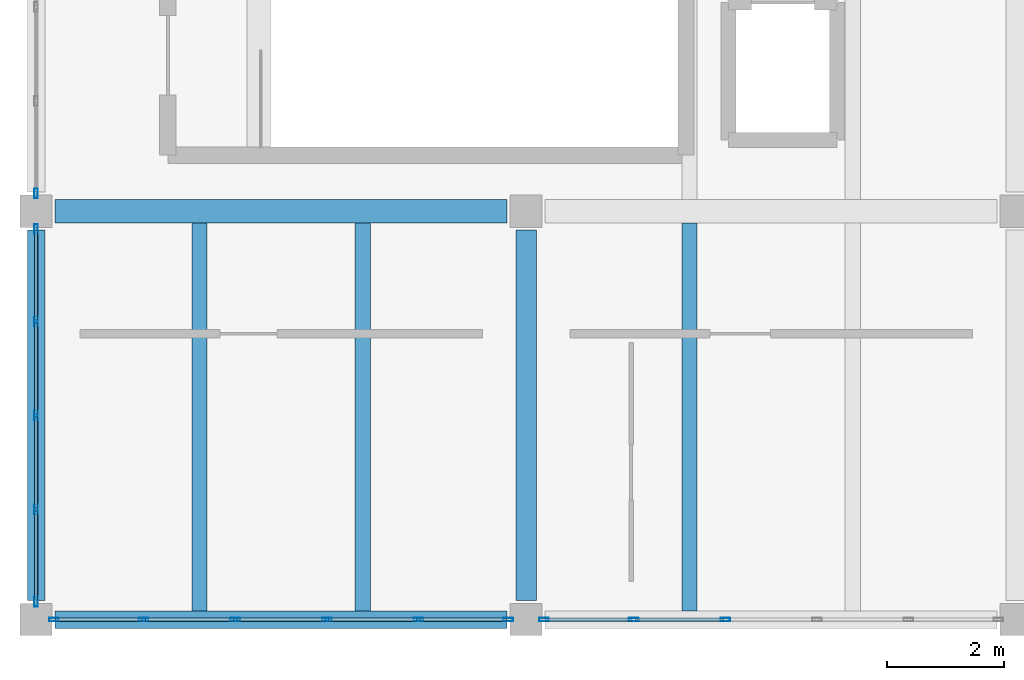
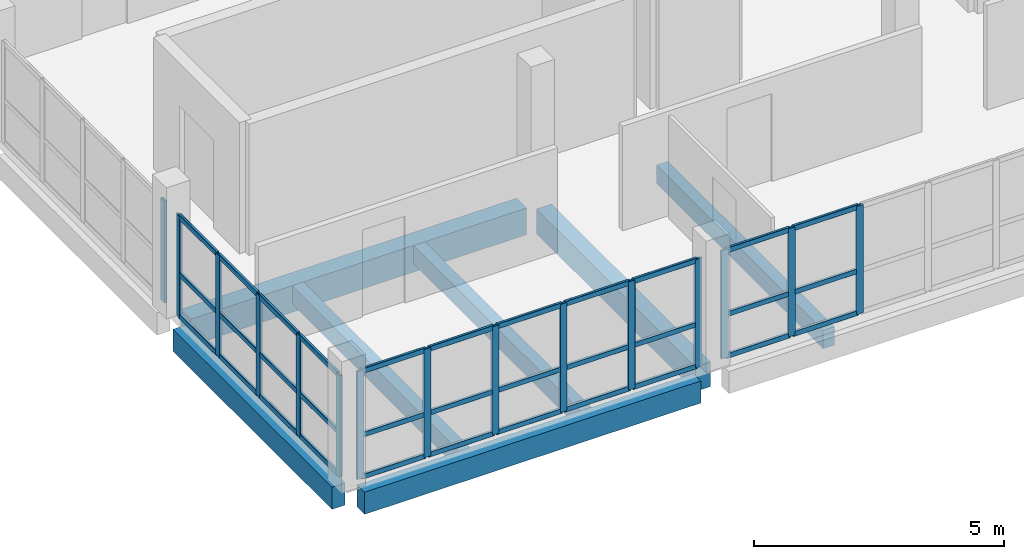
# One storey, part 2 of 24: 48 members, 7 beams, 4 elements without a shape of their own.
"""IFC4 building model written with IfcOpenShell, lengths in metres."""

from ifc_helpers import new_model, si_unit, direction, frame, origin, origin_2d, place, context, subcontext, project, spatial, rectangle, hollow_rectangle, extrude, material, layer, layer_set, material_profile, profile_set, type_object, element, aggregate, save


model = new_model("IFC4")

# Units and contexts
model_context = context("Model", 3, precision=1e-05, world=origin(), true_north=direction((0.0, 1.0)))
body_context = subcontext(model_context, "Body", "Model", "MODEL_VIEW")
ifc_project = project(units=[si_unit("LENGTHUNIT", "METRE"), si_unit("AREAUNIT", "SQUARE_METRE"), si_unit("VOLUMEUNIT", "CUBIC_METRE"), si_unit("PLANEANGLEUNIT", "RADIAN"), si_unit("MASSUNIT", "GRAM", prefix="KILO"), si_unit("THERMODYNAMICTEMPERATUREUNIT", "KELVIN"), si_unit("POWERUNIT", "WATT")], contexts=[model_context])

# Site, building, storey
site_placement = place(None, origin())
site = spatial("IfcSite", under=ifc_project, at=site_placement, CompositionType="ELEMENT")
building_placement = place(site_placement, origin())
building = spatial("IfcBuilding", under=site, at=building_placement, Name="Mavoryth Pier Ferry Terminal", CompositionType="ELEMENT")
storey_placement = place(building_placement, frame((0.0, 0.0, 16.320068359375)))
storey = spatial("IfcBuildingStorey", under=building, at=storey_placement, Name="L04", CompositionType="ELEMENT", Elevation=16.320068359375)

# Beams
ifc_material_1 = material(Name="Concrete C35/45", Category="concrete")
ifc_material_profile_1 = material_profile(ifc_material_1, rectangle(XDim=0.35009765625, YDim=0.60009765625, at=origin_2d()), Name="RC 350x600", Category="concrete")
ifc_profile_set_1 = profile_set([ifc_material_profile_1], Name="Concrete C35/45 - RC 350x600")
beam_type_1 = type_object("IfcBeamType", Name="Girder-RC-350x600", PredefinedType="BEAM", material=ifc_profile_set_1)
beam_1_placement = place(storey_placement, frame((50.39990234375, 0.324951171875, -0.56005859375), z_axis=(0.0, 1.0, 0.0), x_axis=(-1.0, 0.0, 0.0)))
element("IfcBeam", 1, at=beam_1_placement, inside=storey, type_object=beam_type_1, Name="Beam B04-BG08-1480", PredefinedType="BEAM", context=body_context, shape_type="SweptSolid", body=[
    extrude(rectangle(XDim=0.35009765625, YDim=0.60009765625, at=origin_2d()), origin(), (0.0, 0.0, 1.0), 6.35009765625),
])
ifc_material_profile_2 = material_profile(ifc_material_1, rectangle(XDim=0.39990234375, YDim=0.64990234375, at=origin_2d()), Name="RC 400x650", Category="concrete")
ifc_profile_set_2 = profile_set([ifc_material_profile_2], Name="Concrete C35/45 - RC 400x650")
beam_type_2 = type_object("IfcBeamType", Name="Girder-RC-400x650", PredefinedType="BEAM", material=ifc_profile_set_2)
beam_2_placement = place(storey_placement, frame((42.324951171875, 7.0, -0.5849609375), z_axis=(1.0, 0.0, 0.0), x_axis=(0.0, 1.0, 0.0)))
element("IfcBeam", 2, at=beam_2_placement, inside=storey, type_object=beam_type_2, Name="Beam B04-BG05-1462", PredefinedType="BEAM", context=body_context, shape_type="SweptSolid", body=[
    extrude(rectangle(XDim=0.39990234375, YDim=0.64990234375, at=origin_2d()), origin(), (0.0, 0.0, 1.0), 7.75),
])
ifc_material_profile_3 = material_profile(ifc_material_1, rectangle(XDim=0.260009765625, YDim=0.449951171875, at=origin_2d()), Name="RC 260x450", Category="concrete")
ifc_profile_set_3 = profile_set([ifc_material_profile_3], Name="Concrete C35/45 - RC 260x450")
beam_type_3 = type_object("IfcBeamType", Name="Joist-RC-260x450", PredefinedType="JOIST", material=ifc_profile_set_3)
for number, where, z_axis, x_axis, name in (
    (3, (44.800048828125, 0.14990234375, -0.485107421875), (0.0, 1.0, 0.0), (-1.0, 0.0, 0.0), "Beam B04-BJ03-1492"),
    (4, (47.60009765625, 0.14990234375, -0.485107421875), (0.0, 1.0, 0.0), (-1.0, 0.0, 0.0), "Beam B04-BJ03-1493"),
    (5, (53.199951171875, 0.14990234375, -0.485107421875), (0.0, 1.0, 0.0), (-1.0, 0.0, 0.0), "Beam B04-BJ03-1496"),
):
    element("IfcBeam", number, at=place(storey_placement, frame(where, z_axis=z_axis, x_axis=x_axis)), inside=storey, type_object=beam_type_3, Name=name, PredefinedType="JOIST", context=body_context, shape_type="SweptSolid", body=[
        extrude(rectangle(XDim=0.260009765625, YDim=0.449951171875, at=origin_2d()), origin(), (0.0, 0.0, 1.0), 6.650146484375),
    ])

# Curtain wall, members
ifc_material_2 = material(Name="Anodised Aluminium and Solar-Control Low-E Glass", Category="aluminium")
ifc_layer = layer(ifc_material_2, 0.260009765625, Name="Anodised Aluminium and Solar-Control Low-E Glass", Category="aluminium")
ifc_layer_set = layer_set([ifc_layer], Name="Anodised Aluminium and Solar-Control Low-E Glass - CW-VTSBridge-Mod1500")
curtain_wall_type = type_object("IfcCurtainWallType", Name="CW-VTSBridge-Mod1500", PredefinedType="USERDEFINED", material=ifc_layer_set)
curtain_wall_1_placement = place(storey_placement, origin())
curtain_wall_1 = element("IfcCurtainWall", 6, at=curtain_wall_1_placement, inside=storey, type_object=curtain_wall_type, Name="Curtain Wall CW-0422-149", ObjectType="UNITISED CURTAIN WALL", PredefinedType="USERDEFINED")
ifc_material_3 = material(Name="Anodised Aluminium EN AW-6063", Category="aluminium")
ifc_material_profile_4 = material_profile(ifc_material_3, hollow_rectangle(XDim=0.06005859375, YDim=0.1650390625, WallThickness=0.00390625, InnerFilletRadius=0.00390625, OuterFilletRadius=0.008056640625, at=origin_2d()), Name="AL-MULL 165x60x4", Category="aluminium")
ifc_profile_set_4 = profile_set([ifc_material_profile_4], Name="Anodised Aluminium EN AW-6063 - AL-MULL 165x60x4")
member_type_1 = type_object("IfcMemberType", Name="Mullion-Alum-165x60", PredefinedType="MULLION", material=ifc_profile_set_4)
member_1_placement = place(storey_placement, frame((42.304931640625, 0.0, 0.0), z_axis=(0.0, 0.0, 1.0), x_axis=(0.0, 1.0, 0.0)))
member_1 = element("IfcMember", 7, at=member_1_placement, type_object=member_type_1, Name="CW07 mullion 1", PredefinedType="MULLION", context=body_context, shape_type="SweptSolid", body=[
    extrude(hollow_rectangle(XDim=0.06005859375, YDim=0.1650390625, WallThickness=0.00390625, InnerFilletRadius=0.00390625, OuterFilletRadius=0.008056640625, at=origin_2d()), origin(), (0.0, 0.0, 1.0), 2.635009765625),
])
member_2_placement = place(storey_placement, frame((43.844970703125, 0.0, 0.0), z_axis=(0.0, 0.0, 1.0), x_axis=(0.0, 1.0, 0.0)))
member_2 = element("IfcMember", 8, at=member_2_placement, type_object=member_type_1, Name="CW07 mullion 2", PredefinedType="MULLION", context=body_context, shape_type="SweptSolid", body=[
    extrude(hollow_rectangle(XDim=0.06005859375, YDim=0.1650390625, WallThickness=0.00390625, InnerFilletRadius=0.00390625, OuterFilletRadius=0.008056640625, at=origin_2d()), origin(), (0.0, 0.0, 1.0), 2.635009765625),
])
member_3_placement = place(storey_placement, frame((45.4150390625, 0.0, 0.0), z_axis=(0.0, 0.0, 1.0), x_axis=(0.0, 1.0, 0.0)))
member_3 = element("IfcMember", 9, at=member_3_placement, type_object=member_type_1, Name="CW07 mullion 3", PredefinedType="MULLION", context=body_context, shape_type="SweptSolid", body=[
    extrude(hollow_rectangle(XDim=0.06005859375, YDim=0.1650390625, WallThickness=0.00390625, InnerFilletRadius=0.00390625, OuterFilletRadius=0.008056640625, at=origin_2d()), origin(), (0.0, 0.0, 1.0), 2.635009765625),
])
member_4_placement = place(storey_placement, frame((46.985107421875, 0.0, 0.0), z_axis=(0.0, 0.0, 1.0), x_axis=(0.0, 1.0, 0.0)))
member_4 = element("IfcMember", 10, at=member_4_placement, type_object=member_type_1, Name="CW07 mullion 4", PredefinedType="MULLION", context=body_context, shape_type="SweptSolid", body=[
    extrude(hollow_rectangle(XDim=0.06005859375, YDim=0.1650390625, WallThickness=0.00390625, InnerFilletRadius=0.00390625, OuterFilletRadius=0.008056640625, at=origin_2d()), origin(), (0.0, 0.0, 1.0), 2.635009765625),
])
member_5_placement = place(storey_placement, frame((48.554931640625, 0.0, 0.0), z_axis=(0.0, 0.0, 1.0), x_axis=(0.0, 1.0, 0.0)))
member_5 = element("IfcMember", 11, at=member_5_placement, type_object=member_type_1, Name="CW07 mullion 5", PredefinedType="MULLION", context=body_context, shape_type="SweptSolid", body=[
    extrude(hollow_rectangle(XDim=0.06005859375, YDim=0.1650390625, WallThickness=0.00390625, InnerFilletRadius=0.00390625, OuterFilletRadius=0.008056640625, at=origin_2d()), origin(), (0.0, 0.0, 1.0), 2.635009765625),
])
member_6_placement = place(storey_placement, frame((50.094970703125, 0.0, 0.0), z_axis=(0.0, 0.0, 1.0), x_axis=(0.0, 1.0, 0.0)))
member_6 = element("IfcMember", 12, at=member_6_placement, type_object=member_type_1, Name="CW07 mullion 6", PredefinedType="MULLION", context=body_context, shape_type="SweptSolid", body=[
    extrude(hollow_rectangle(XDim=0.06005859375, YDim=0.1650390625, WallThickness=0.00390625, InnerFilletRadius=0.00390625, OuterFilletRadius=0.008056640625, at=origin_2d()), origin(), (0.0, 0.0, 1.0), 2.635009765625),
])

curtain_wall_2_placement = place(storey_placement, origin())
curtain_wall_2 = element("IfcCurtainWall", 13, at=curtain_wall_2_placement, inside=storey, type_object=curtain_wall_type, Name="Curtain Wall CW-0422-151", ObjectType="UNITISED CURTAIN WALL", PredefinedType="USERDEFINED")
member_7_placement = place(storey_placement, frame((50.705078125, 0.0, 0.0), z_axis=(0.0, 0.0, 1.0), x_axis=(0.0, 1.0, 0.0)))
member_7 = element("IfcMember", 14, at=member_7_placement, type_object=member_type_1, Name="CW07 mullion 1", PredefinedType="MULLION", context=body_context, shape_type="SweptSolid", body=[
    extrude(hollow_rectangle(XDim=0.06005859375, YDim=0.1650390625, WallThickness=0.00390625, InnerFilletRadius=0.00390625, OuterFilletRadius=0.008056640625, at=origin_2d()), origin(), (0.0, 0.0, 1.0), 2.635009765625),
])
member_8_placement = place(storey_placement, frame((52.2451171875, 0.0, 0.0), z_axis=(0.0, 0.0, 1.0), x_axis=(0.0, 1.0, 0.0)))
member_8 = element("IfcMember", 15, at=member_8_placement, type_object=member_type_1, Name="CW07 mullion 2", PredefinedType="MULLION", context=body_context, shape_type="SweptSolid", body=[
    extrude(hollow_rectangle(XDim=0.06005859375, YDim=0.1650390625, WallThickness=0.00390625, InnerFilletRadius=0.00390625, OuterFilletRadius=0.008056640625, at=origin_2d()), origin(), (0.0, 0.0, 1.0), 2.635009765625),
])
member_9_placement = place(storey_placement, frame((53.81494140625, 0.0, 0.0), z_axis=(0.0, 0.0, 1.0), x_axis=(0.0, 1.0, 0.0)))
member_9 = element("IfcMember", 16, at=member_9_placement, type_object=member_type_1, Name="CW07 mullion 3", PredefinedType="MULLION", context=body_context, shape_type="SweptSolid", body=[
    extrude(hollow_rectangle(XDim=0.06005859375, YDim=0.1650390625, WallThickness=0.00390625, InnerFilletRadius=0.00390625, OuterFilletRadius=0.008056640625, at=origin_2d()), origin(), (0.0, 0.0, 1.0), 2.635009765625),
])

curtain_wall_3_placement = place(storey_placement, origin())
curtain_wall_3 = element("IfcCurtainWall", 17, at=curtain_wall_3_placement, inside=storey, type_object=curtain_wall_type, Name="Curtain Wall CW-0422-162", ObjectType="UNITISED CURTAIN WALL", PredefinedType="USERDEFINED")
member_10_placement = place(storey_placement, frame((42.0, 6.695068359375, 0.0), z_axis=(0.0, 0.0, 1.0), x_axis=(1.0, 0.0, 0.0)))
member_10 = element("IfcMember", 18, at=member_10_placement, type_object=member_type_1, Name="CW07 mullion 1", PredefinedType="MULLION", context=body_context, shape_type="SweptSolid", body=[
    extrude(hollow_rectangle(XDim=0.06005859375, YDim=0.1650390625, WallThickness=0.00390625, InnerFilletRadius=0.00390625, OuterFilletRadius=0.008056640625, at=origin_2d()), origin(), (0.0, 0.0, 1.0), 2.474853515625),
])
member_11_placement = place(storey_placement, frame((42.0, 5.112548828125, 0.0), z_axis=(0.0, 0.0, 1.0), x_axis=(1.0, 0.0, 0.0)))
member_11 = element("IfcMember", 19, at=member_11_placement, type_object=member_type_1, Name="CW07 mullion 2", PredefinedType="MULLION", context=body_context, shape_type="SweptSolid", body=[
    extrude(hollow_rectangle(XDim=0.06005859375, YDim=0.1650390625, WallThickness=0.00390625, InnerFilletRadius=0.00390625, OuterFilletRadius=0.008056640625, at=origin_2d()), origin(), (0.0, 0.0, 1.0), 2.474853515625),
])
member_12_placement = place(storey_placement, frame((42.0, 3.5, 0.0), z_axis=(0.0, 0.0, 1.0), x_axis=(1.0, 0.0, 0.0)))
member_12 = element("IfcMember", 20, at=member_12_placement, type_object=member_type_1, Name="CW07 mullion 3", PredefinedType="MULLION", context=body_context, shape_type="SweptSolid", body=[
    extrude(hollow_rectangle(XDim=0.06005859375, YDim=0.1650390625, WallThickness=0.00390625, InnerFilletRadius=0.00390625, OuterFilletRadius=0.008056640625, at=origin_2d()), origin(), (0.0, 0.0, 1.0), 2.474853515625),
])
member_13_placement = place(storey_placement, frame((42.0, 1.887451171875, 0.0), z_axis=(0.0, 0.0, 1.0), x_axis=(1.0, 0.0, 0.0)))
member_13 = element("IfcMember", 21, at=member_13_placement, type_object=member_type_1, Name="CW07 mullion 4", PredefinedType="MULLION", context=body_context, shape_type="SweptSolid", body=[
    extrude(hollow_rectangle(XDim=0.06005859375, YDim=0.1650390625, WallThickness=0.00390625, InnerFilletRadius=0.00390625, OuterFilletRadius=0.008056640625, at=origin_2d()), origin(), (0.0, 0.0, 1.0), 2.474853515625),
])
member_14_placement = place(storey_placement, frame((42.0, 0.304931640625, 0.0), z_axis=(0.0, 0.0, 1.0), x_axis=(1.0, 0.0, 0.0)))
member_14 = element("IfcMember", 22, at=member_14_placement, type_object=member_type_1, Name="CW07 mullion 5", PredefinedType="MULLION", context=body_context, shape_type="SweptSolid", body=[
    extrude(hollow_rectangle(XDim=0.06005859375, YDim=0.1650390625, WallThickness=0.00390625, InnerFilletRadius=0.00390625, OuterFilletRadius=0.008056640625, at=origin_2d()), origin(), (0.0, 0.0, 1.0), 2.474853515625),
])

# Curtain wall, member
curtain_wall_4_placement = place(storey_placement, origin())
curtain_wall_4 = element("IfcCurtainWall", 23, at=curtain_wall_4_placement, inside=storey, type_object=curtain_wall_type, Name="Curtain Wall CW-0422-163", ObjectType="UNITISED CURTAIN WALL", PredefinedType="USERDEFINED")
member_15_placement = place(storey_placement, frame((42.0, 7.304931640625, 0.0), z_axis=(0.0, 0.0, 1.0), x_axis=(1.0, 0.0, 0.0)))
member_15 = element("IfcMember", 24, at=member_15_placement, type_object=member_type_1, Name="CW07 mullion 5", PredefinedType="MULLION", context=body_context, shape_type="SweptSolid", body=[
    extrude(hollow_rectangle(XDim=0.06005859375, YDim=0.1650390625, WallThickness=0.00390625, InnerFilletRadius=0.00390625, OuterFilletRadius=0.008056640625, at=origin_2d()), origin(), (0.0, 0.0, 1.0), 2.474853515625),
])
aggregate(curtain_wall_4, [member_15])

# Beams
ifc_material_profile_5 = material_profile(ifc_material_1, rectangle(XDim=0.300048828125, YDim=0.5400390625, at=origin_2d()), Name="RC 300x540", Category="concrete")
ifc_profile_set_5 = profile_set([ifc_material_profile_5], Name="Concrete C35/45 - RC 300x540")
beam_type_4 = type_object("IfcBeamType", Name="Spandrel-RC-300x540", PredefinedType="SPANDREL", material=ifc_profile_set_5)
beam_3_placement = place(storey_placement, frame((42.324951171875, 0.0, -0.530029296875), z_axis=(1.0, 0.0, 0.0), x_axis=(0.0, 1.0, 0.0)))
element("IfcBeam", 25, at=beam_3_placement, inside=storey, type_object=beam_type_4, Name="Beam B04-SP02-1457", PredefinedType="SPANDREL", context=body_context, shape_type="SweptSolid", body=[
    extrude(rectangle(XDim=0.300048828125, YDim=0.5400390625, at=origin_2d()), origin(), (0.0, 0.0, 1.0), 7.75),
])
beam_4_placement = place(storey_placement, frame((42.0, 0.324951171875, -0.530029296875), z_axis=(0.0, 1.0, 0.0), x_axis=(-1.0, 0.0, 0.0)))
element("IfcBeam", 26, at=beam_4_placement, inside=storey, type_object=beam_type_4, Name="Beam B04-SP02-1477", PredefinedType="SPANDREL", context=body_context, shape_type="SweptSolid", body=[
    extrude(rectangle(XDim=0.300048828125, YDim=0.5400390625, at=origin_2d()), origin(), (0.0, 0.0, 1.0), 6.35009765625),
])

# Member
ifc_material_profile_6 = material_profile(ifc_material_3, hollow_rectangle(XDim=0.06005859375, YDim=0.125, WallThickness=0.00390625, InnerFilletRadius=0.00390625, OuterFilletRadius=0.008056640625, at=origin_2d()), Name="AL-TRAN 125x60x4", Category="aluminium")
ifc_profile_set_6 = profile_set([ifc_material_profile_6], Name="Anodised Aluminium EN AW-6063 - AL-TRAN 125x60x4")
member_type_2 = type_object("IfcMemberType", Name="Transom-Alum-125x60", PredefinedType="USERDEFINED", material=ifc_profile_set_6)
member_16_placement = place(storey_placement, frame((42.3349609375, 0.0, 0.030029296875), z_axis=(1.0, 0.0, 0.0), x_axis=(0.0, 1.0, 0.0)))
member_16 = element("IfcMember", 27, at=member_16_placement, type_object=member_type_2, Name="CW07 transom 1.1", ObjectType="TRANSOM", PredefinedType="USERDEFINED", context=body_context, shape_type="SweptSolid", body=[
    extrude(hollow_rectangle(XDim=0.06005859375, YDim=0.125, WallThickness=0.00390625, InnerFilletRadius=0.00390625, OuterFilletRadius=0.008056640625, at=origin_2d()), origin(), (0.0, 0.0, 1.0), 1.47998046875),
])

member_17_placement = place(storey_placement, frame((42.3349609375, 0.0, 1.050048828125), z_axis=(1.0, 0.0, 0.0), x_axis=(0.0, 1.0, 0.0)))
member_17 = element("IfcMember", 28, at=member_17_placement, type_object=member_type_2, Name="CW07 transom 1.2", ObjectType="TRANSOM", PredefinedType="USERDEFINED", context=body_context, shape_type="SweptSolid", body=[
    extrude(hollow_rectangle(XDim=0.06005859375, YDim=0.125, WallThickness=0.00390625, InnerFilletRadius=0.00390625, OuterFilletRadius=0.008056640625, at=origin_2d()), origin(), (0.0, 0.0, 1.0), 1.47998046875),
])

member_18_placement = place(storey_placement, frame((42.3349609375, 0.0, 2.60498046875), z_axis=(1.0, 0.0, 0.0), x_axis=(0.0, 1.0, 0.0)))
member_18 = element("IfcMember", 29, at=member_18_placement, type_object=member_type_2, Name="CW07 transom 1.3", ObjectType="TRANSOM", PredefinedType="USERDEFINED", context=body_context, shape_type="SweptSolid", body=[
    extrude(hollow_rectangle(XDim=0.06005859375, YDim=0.125, WallThickness=0.00390625, InnerFilletRadius=0.00390625, OuterFilletRadius=0.008056640625, at=origin_2d()), origin(), (0.0, 0.0, 1.0), 1.47998046875),
])

member_19_placement = place(storey_placement, frame((43.875, 0.0, 0.030029296875), z_axis=(1.0, 0.0, 0.0), x_axis=(0.0, 1.0, 0.0)))
member_19 = element("IfcMember", 30, at=member_19_placement, type_object=member_type_2, Name="CW07 transom 2.1", ObjectType="TRANSOM", PredefinedType="USERDEFINED", context=body_context, shape_type="SweptSolid", body=[
    extrude(hollow_rectangle(XDim=0.06005859375, YDim=0.125, WallThickness=0.00390625, InnerFilletRadius=0.00390625, OuterFilletRadius=0.008056640625, at=origin_2d()), origin(), (0.0, 0.0, 1.0), 1.510009765625),
])

member_20_placement = place(storey_placement, frame((43.875, 0.0, 1.050048828125), z_axis=(1.0, 0.0, 0.0), x_axis=(0.0, 1.0, 0.0)))
member_20 = element("IfcMember", 31, at=member_20_placement, type_object=member_type_2, Name="CW07 transom 2.2", ObjectType="TRANSOM", PredefinedType="USERDEFINED", context=body_context, shape_type="SweptSolid", body=[
    extrude(hollow_rectangle(XDim=0.06005859375, YDim=0.125, WallThickness=0.00390625, InnerFilletRadius=0.00390625, OuterFilletRadius=0.008056640625, at=origin_2d()), origin(), (0.0, 0.0, 1.0), 1.510009765625),
])

member_21_placement = place(storey_placement, frame((43.875, 0.0, 2.60498046875), z_axis=(1.0, 0.0, 0.0), x_axis=(0.0, 1.0, 0.0)))
member_21 = element("IfcMember", 32, at=member_21_placement, type_object=member_type_2, Name="CW07 transom 2.3", ObjectType="TRANSOM", PredefinedType="USERDEFINED", context=body_context, shape_type="SweptSolid", body=[
    extrude(hollow_rectangle(XDim=0.06005859375, YDim=0.125, WallThickness=0.00390625, InnerFilletRadius=0.00390625, OuterFilletRadius=0.008056640625, at=origin_2d()), origin(), (0.0, 0.0, 1.0), 1.510009765625),
])

member_22_placement = place(storey_placement, frame((45.445068359375, 0.0, 0.030029296875), z_axis=(1.0, 0.0, 0.0), x_axis=(0.0, 1.0, 0.0)))
member_22 = element("IfcMember", 33, at=member_22_placement, type_object=member_type_2, Name="CW07 transom 3.1", ObjectType="TRANSOM", PredefinedType="USERDEFINED", context=body_context, shape_type="SweptSolid", body=[
    extrude(hollow_rectangle(XDim=0.06005859375, YDim=0.125, WallThickness=0.00390625, InnerFilletRadius=0.00390625, OuterFilletRadius=0.008056640625, at=origin_2d()), origin(), (0.0, 0.0, 1.0), 1.510009765625),
])

member_23_placement = place(storey_placement, frame((45.445068359375, 0.0, 1.050048828125), z_axis=(1.0, 0.0, 0.0), x_axis=(0.0, 1.0, 0.0)))
member_23 = element("IfcMember", 34, at=member_23_placement, type_object=member_type_2, Name="CW07 transom 3.2", ObjectType="TRANSOM", PredefinedType="USERDEFINED", context=body_context, shape_type="SweptSolid", body=[
    extrude(hollow_rectangle(XDim=0.06005859375, YDim=0.125, WallThickness=0.00390625, InnerFilletRadius=0.00390625, OuterFilletRadius=0.008056640625, at=origin_2d()), origin(), (0.0, 0.0, 1.0), 1.510009765625),
])

member_24_placement = place(storey_placement, frame((45.445068359375, 0.0, 2.60498046875), z_axis=(1.0, 0.0, 0.0), x_axis=(0.0, 1.0, 0.0)))
member_24 = element("IfcMember", 35, at=member_24_placement, type_object=member_type_2, Name="CW07 transom 3.3", ObjectType="TRANSOM", PredefinedType="USERDEFINED", context=body_context, shape_type="SweptSolid", body=[
    extrude(hollow_rectangle(XDim=0.06005859375, YDim=0.125, WallThickness=0.00390625, InnerFilletRadius=0.00390625, OuterFilletRadius=0.008056640625, at=origin_2d()), origin(), (0.0, 0.0, 1.0), 1.510009765625),
])

member_25_placement = place(storey_placement, frame((47.014892578125, 0.0, 0.030029296875), z_axis=(1.0, 0.0, 0.0), x_axis=(0.0, 1.0, 0.0)))
member_25 = element("IfcMember", 36, at=member_25_placement, type_object=member_type_2, Name="CW07 transom 4.1", ObjectType="TRANSOM", PredefinedType="USERDEFINED", context=body_context, shape_type="SweptSolid", body=[
    extrude(hollow_rectangle(XDim=0.06005859375, YDim=0.125, WallThickness=0.00390625, InnerFilletRadius=0.00390625, OuterFilletRadius=0.008056640625, at=origin_2d()), origin(), (0.0, 0.0, 1.0), 1.510009765625),
])

member_26_placement = place(storey_placement, frame((47.014892578125, 0.0, 1.050048828125), z_axis=(1.0, 0.0, 0.0), x_axis=(0.0, 1.0, 0.0)))
member_26 = element("IfcMember", 37, at=member_26_placement, type_object=member_type_2, Name="CW07 transom 4.2", ObjectType="TRANSOM", PredefinedType="USERDEFINED", context=body_context, shape_type="SweptSolid", body=[
    extrude(hollow_rectangle(XDim=0.06005859375, YDim=0.125, WallThickness=0.00390625, InnerFilletRadius=0.00390625, OuterFilletRadius=0.008056640625, at=origin_2d()), origin(), (0.0, 0.0, 1.0), 1.510009765625),
])

member_27_placement = place(storey_placement, frame((47.014892578125, 0.0, 2.60498046875), z_axis=(1.0, 0.0, 0.0), x_axis=(0.0, 1.0, 0.0)))
member_27 = element("IfcMember", 38, at=member_27_placement, type_object=member_type_2, Name="CW07 transom 4.3", ObjectType="TRANSOM", PredefinedType="USERDEFINED", context=body_context, shape_type="SweptSolid", body=[
    extrude(hollow_rectangle(XDim=0.06005859375, YDim=0.125, WallThickness=0.00390625, InnerFilletRadius=0.00390625, OuterFilletRadius=0.008056640625, at=origin_2d()), origin(), (0.0, 0.0, 1.0), 1.510009765625),
])

member_28_placement = place(storey_placement, frame((48.5849609375, 0.0, 0.030029296875), z_axis=(1.0, 0.0, 0.0), x_axis=(0.0, 1.0, 0.0)))
member_28 = element("IfcMember", 39, at=member_28_placement, type_object=member_type_2, Name="CW07 transom 5.1", ObjectType="TRANSOM", PredefinedType="USERDEFINED", context=body_context, shape_type="SweptSolid", body=[
    extrude(hollow_rectangle(XDim=0.06005859375, YDim=0.125, WallThickness=0.00390625, InnerFilletRadius=0.00390625, OuterFilletRadius=0.008056640625, at=origin_2d()), origin(), (0.0, 0.0, 1.0), 1.47998046875),
])

member_29_placement = place(storey_placement, frame((48.5849609375, 0.0, 1.050048828125), z_axis=(1.0, 0.0, 0.0), x_axis=(0.0, 1.0, 0.0)))
member_29 = element("IfcMember", 40, at=member_29_placement, type_object=member_type_2, Name="CW07 transom 5.2", ObjectType="TRANSOM", PredefinedType="USERDEFINED", context=body_context, shape_type="SweptSolid", body=[
    extrude(hollow_rectangle(XDim=0.06005859375, YDim=0.125, WallThickness=0.00390625, InnerFilletRadius=0.00390625, OuterFilletRadius=0.008056640625, at=origin_2d()), origin(), (0.0, 0.0, 1.0), 1.47998046875),
])

member_30_placement = place(storey_placement, frame((48.5849609375, 0.0, 2.60498046875), z_axis=(1.0, 0.0, 0.0), x_axis=(0.0, 1.0, 0.0)))
member_30 = element("IfcMember", 41, at=member_30_placement, type_object=member_type_2, Name="CW07 transom 5.3", ObjectType="TRANSOM", PredefinedType="USERDEFINED", context=body_context, shape_type="SweptSolid", body=[
    extrude(hollow_rectangle(XDim=0.06005859375, YDim=0.125, WallThickness=0.00390625, InnerFilletRadius=0.00390625, OuterFilletRadius=0.008056640625, at=origin_2d()), origin(), (0.0, 0.0, 1.0), 1.47998046875),
])

aggregate(curtain_wall_1, [member_1, member_2, member_3, member_4, member_5, member_6, member_16, member_17, member_18, member_19, member_20, member_21, member_22, member_23, member_24, member_25, member_26, member_27, member_28, member_29, member_30])

member_31_placement = place(storey_placement, frame((50.735107421875, 0.0, 0.030029296875), z_axis=(1.0, 0.0, 0.0), x_axis=(0.0, 1.0, 0.0)))
member_31 = element("IfcMember", 42, at=member_31_placement, type_object=member_type_2, Name="CW07 transom 1.1", ObjectType="TRANSOM", PredefinedType="USERDEFINED", context=body_context, shape_type="SweptSolid", body=[
    extrude(hollow_rectangle(XDim=0.06005859375, YDim=0.125, WallThickness=0.00390625, InnerFilletRadius=0.00390625, OuterFilletRadius=0.008056640625, at=origin_2d()), origin(), (0.0, 0.0, 1.0), 1.47998046875),
])

member_32_placement = place(storey_placement, frame((50.735107421875, 0.0, 1.050048828125), z_axis=(1.0, 0.0, 0.0), x_axis=(0.0, 1.0, 0.0)))
member_32 = element("IfcMember", 43, at=member_32_placement, type_object=member_type_2, Name="CW07 transom 1.2", ObjectType="TRANSOM", PredefinedType="USERDEFINED", context=body_context, shape_type="SweptSolid", body=[
    extrude(hollow_rectangle(XDim=0.06005859375, YDim=0.125, WallThickness=0.00390625, InnerFilletRadius=0.00390625, OuterFilletRadius=0.008056640625, at=origin_2d()), origin(), (0.0, 0.0, 1.0), 1.47998046875),
])

member_33_placement = place(storey_placement, frame((50.735107421875, 0.0, 2.60498046875), z_axis=(1.0, 0.0, 0.0), x_axis=(0.0, 1.0, 0.0)))
member_33 = element("IfcMember", 44, at=member_33_placement, type_object=member_type_2, Name="CW07 transom 1.3", ObjectType="TRANSOM", PredefinedType="USERDEFINED", context=body_context, shape_type="SweptSolid", body=[
    extrude(hollow_rectangle(XDim=0.06005859375, YDim=0.125, WallThickness=0.00390625, InnerFilletRadius=0.00390625, OuterFilletRadius=0.008056640625, at=origin_2d()), origin(), (0.0, 0.0, 1.0), 1.47998046875),
])

member_34_placement = place(storey_placement, frame((52.27490234375, 0.0, 0.030029296875), z_axis=(1.0, 0.0, 0.0), x_axis=(0.0, 1.0, 0.0)))
member_34 = element("IfcMember", 45, at=member_34_placement, type_object=member_type_2, Name="CW07 transom 2.1", ObjectType="TRANSOM", PredefinedType="USERDEFINED", context=body_context, shape_type="SweptSolid", body=[
    extrude(hollow_rectangle(XDim=0.06005859375, YDim=0.125, WallThickness=0.00390625, InnerFilletRadius=0.00390625, OuterFilletRadius=0.008056640625, at=origin_2d()), origin(), (0.0, 0.0, 1.0), 1.510009765625),
])

member_35_placement = place(storey_placement, frame((52.27490234375, 0.0, 1.050048828125), z_axis=(1.0, 0.0, 0.0), x_axis=(0.0, 1.0, 0.0)))
member_35 = element("IfcMember", 46, at=member_35_placement, type_object=member_type_2, Name="CW07 transom 2.2", ObjectType="TRANSOM", PredefinedType="USERDEFINED", context=body_context, shape_type="SweptSolid", body=[
    extrude(hollow_rectangle(XDim=0.06005859375, YDim=0.125, WallThickness=0.00390625, InnerFilletRadius=0.00390625, OuterFilletRadius=0.008056640625, at=origin_2d()), origin(), (0.0, 0.0, 1.0), 1.510009765625),
])

member_36_placement = place(storey_placement, frame((52.27490234375, 0.0, 2.60498046875), z_axis=(1.0, 0.0, 0.0), x_axis=(0.0, 1.0, 0.0)))
member_36 = element("IfcMember", 47, at=member_36_placement, type_object=member_type_2, Name="CW07 transom 2.3", ObjectType="TRANSOM", PredefinedType="USERDEFINED", context=body_context, shape_type="SweptSolid", body=[
    extrude(hollow_rectangle(XDim=0.06005859375, YDim=0.125, WallThickness=0.00390625, InnerFilletRadius=0.00390625, OuterFilletRadius=0.008056640625, at=origin_2d()), origin(), (0.0, 0.0, 1.0), 1.510009765625),
])

aggregate(curtain_wall_2, [member_7, member_8, member_9, member_31, member_32, member_33, member_34, member_35, member_36])

member_37_placement = place(storey_placement, frame((42.0, 6.6650390625, 0.030029296875), z_axis=(0.0, -1.0, 0.0), x_axis=(1.0, 0.0, 0.0)))
member_37 = element("IfcMember", 48, at=member_37_placement, type_object=member_type_2, Name="CW07 transom 1.1", ObjectType="TRANSOM", PredefinedType="USERDEFINED", context=body_context, shape_type="SweptSolid", body=[
    extrude(hollow_rectangle(XDim=0.06005859375, YDim=0.125, WallThickness=0.00390625, InnerFilletRadius=0.00390625, OuterFilletRadius=0.008056640625, at=origin_2d()), origin(), (0.0, 0.0, 1.0), 1.5224609375),
])

member_38_placement = place(storey_placement, frame((42.0, 6.6650390625, 1.050048828125), z_axis=(0.0, -1.0, 0.0), x_axis=(1.0, 0.0, 0.0)))
member_38 = element("IfcMember", 49, at=member_38_placement, type_object=member_type_2, Name="CW07 transom 1.2", ObjectType="TRANSOM", PredefinedType="USERDEFINED", context=body_context, shape_type="SweptSolid", body=[
    extrude(hollow_rectangle(XDim=0.06005859375, YDim=0.125, WallThickness=0.00390625, InnerFilletRadius=0.00390625, OuterFilletRadius=0.008056640625, at=origin_2d()), origin(), (0.0, 0.0, 1.0), 1.5224609375),
])

member_39_placement = place(storey_placement, frame((42.0, 6.6650390625, 2.44482421875), z_axis=(0.0, -1.0, 0.0), x_axis=(1.0, 0.0, 0.0)))
member_39 = element("IfcMember", 50, at=member_39_placement, type_object=member_type_2, Name="CW07 transom 1.3", ObjectType="TRANSOM", PredefinedType="USERDEFINED", context=body_context, shape_type="SweptSolid", body=[
    extrude(hollow_rectangle(XDim=0.06005859375, YDim=0.125, WallThickness=0.00390625, InnerFilletRadius=0.00390625, OuterFilletRadius=0.008056640625, at=origin_2d()), origin(), (0.0, 0.0, 1.0), 1.5224609375),
])

member_40_placement = place(storey_placement, frame((42.0, 5.08251953125, 0.030029296875), z_axis=(0.0, -1.0, 0.0), x_axis=(1.0, 0.0, 0.0)))
member_40 = element("IfcMember", 51, at=member_40_placement, type_object=member_type_2, Name="CW07 transom 2.1", ObjectType="TRANSOM", PredefinedType="USERDEFINED", context=body_context, shape_type="SweptSolid", body=[
    extrude(hollow_rectangle(XDim=0.06005859375, YDim=0.125, WallThickness=0.00390625, InnerFilletRadius=0.00390625, OuterFilletRadius=0.008056640625, at=origin_2d()), origin(), (0.0, 0.0, 1.0), 1.552490234375),
])

member_41_placement = place(storey_placement, frame((42.0, 5.08251953125, 1.050048828125), z_axis=(0.0, -1.0, 0.0), x_axis=(1.0, 0.0, 0.0)))
member_41 = element("IfcMember", 52, at=member_41_placement, type_object=member_type_2, Name="CW07 transom 2.2", ObjectType="TRANSOM", PredefinedType="USERDEFINED", context=body_context, shape_type="SweptSolid", body=[
    extrude(hollow_rectangle(XDim=0.06005859375, YDim=0.125, WallThickness=0.00390625, InnerFilletRadius=0.00390625, OuterFilletRadius=0.008056640625, at=origin_2d()), origin(), (0.0, 0.0, 1.0), 1.552490234375),
])

member_42_placement = place(storey_placement, frame((42.0, 5.08251953125, 2.44482421875), z_axis=(0.0, -1.0, 0.0), x_axis=(1.0, 0.0, 0.0)))
member_42 = element("IfcMember", 53, at=member_42_placement, type_object=member_type_2, Name="CW07 transom 2.3", ObjectType="TRANSOM", PredefinedType="USERDEFINED", context=body_context, shape_type="SweptSolid", body=[
    extrude(hollow_rectangle(XDim=0.06005859375, YDim=0.125, WallThickness=0.00390625, InnerFilletRadius=0.00390625, OuterFilletRadius=0.008056640625, at=origin_2d()), origin(), (0.0, 0.0, 1.0), 1.552490234375),
])

member_43_placement = place(storey_placement, frame((42.0, 3.469970703125, 0.030029296875), z_axis=(0.0, -1.0, 0.0), x_axis=(1.0, 0.0, 0.0)))
member_43 = element("IfcMember", 54, at=member_43_placement, type_object=member_type_2, Name="CW07 transom 3.1", ObjectType="TRANSOM", PredefinedType="USERDEFINED", context=body_context, shape_type="SweptSolid", body=[
    extrude(hollow_rectangle(XDim=0.06005859375, YDim=0.125, WallThickness=0.00390625, InnerFilletRadius=0.00390625, OuterFilletRadius=0.008056640625, at=origin_2d()), origin(), (0.0, 0.0, 1.0), 1.552490234375),
])

member_44_placement = place(storey_placement, frame((42.0, 3.469970703125, 1.050048828125), z_axis=(0.0, -1.0, 0.0), x_axis=(1.0, 0.0, 0.0)))
member_44 = element("IfcMember", 55, at=member_44_placement, type_object=member_type_2, Name="CW07 transom 3.2", ObjectType="TRANSOM", PredefinedType="USERDEFINED", context=body_context, shape_type="SweptSolid", body=[
    extrude(hollow_rectangle(XDim=0.06005859375, YDim=0.125, WallThickness=0.00390625, InnerFilletRadius=0.00390625, OuterFilletRadius=0.008056640625, at=origin_2d()), origin(), (0.0, 0.0, 1.0), 1.552490234375),
])

member_45_placement = place(storey_placement, frame((42.0, 3.469970703125, 2.44482421875), z_axis=(0.0, -1.0, 0.0), x_axis=(1.0, 0.0, 0.0)))
member_45 = element("IfcMember", 56, at=member_45_placement, type_object=member_type_2, Name="CW07 transom 3.3", ObjectType="TRANSOM", PredefinedType="USERDEFINED", context=body_context, shape_type="SweptSolid", body=[
    extrude(hollow_rectangle(XDim=0.06005859375, YDim=0.125, WallThickness=0.00390625, InnerFilletRadius=0.00390625, OuterFilletRadius=0.008056640625, at=origin_2d()), origin(), (0.0, 0.0, 1.0), 1.552490234375),
])

member_46_placement = place(storey_placement, frame((42.0, 1.857421875, 0.030029296875), z_axis=(0.0, -1.0, 0.0), x_axis=(1.0, 0.0, 0.0)))
member_46 = element("IfcMember", 57, at=member_46_placement, type_object=member_type_2, Name="CW07 transom 4.1", ObjectType="TRANSOM", PredefinedType="USERDEFINED", context=body_context, shape_type="SweptSolid", body=[
    extrude(hollow_rectangle(XDim=0.06005859375, YDim=0.125, WallThickness=0.00390625, InnerFilletRadius=0.00390625, OuterFilletRadius=0.008056640625, at=origin_2d()), origin(), (0.0, 0.0, 1.0), 1.5224609375),
])

member_47_placement = place(storey_placement, frame((42.0, 1.857421875, 1.050048828125), z_axis=(0.0, -1.0, 0.0), x_axis=(1.0, 0.0, 0.0)))
member_47 = element("IfcMember", 58, at=member_47_placement, type_object=member_type_2, Name="CW07 transom 4.2", ObjectType="TRANSOM", PredefinedType="USERDEFINED", context=body_context, shape_type="SweptSolid", body=[
    extrude(hollow_rectangle(XDim=0.06005859375, YDim=0.125, WallThickness=0.00390625, InnerFilletRadius=0.00390625, OuterFilletRadius=0.008056640625, at=origin_2d()), origin(), (0.0, 0.0, 1.0), 1.5224609375),
])

member_48_placement = place(storey_placement, frame((42.0, 1.857421875, 2.44482421875), z_axis=(0.0, -1.0, 0.0), x_axis=(1.0, 0.0, 0.0)))
member_48 = element("IfcMember", 59, at=member_48_placement, type_object=member_type_2, Name="CW07 transom 4.3", ObjectType="TRANSOM", PredefinedType="USERDEFINED", context=body_context, shape_type="SweptSolid", body=[
    extrude(hollow_rectangle(XDim=0.06005859375, YDim=0.125, WallThickness=0.00390625, InnerFilletRadius=0.00390625, OuterFilletRadius=0.008056640625, at=origin_2d()), origin(), (0.0, 0.0, 1.0), 1.5224609375),
])

aggregate(curtain_wall_3, [member_10, member_11, member_12, member_13, member_14, member_37, member_38, member_39, member_40, member_41, member_42, member_43, member_44, member_45, member_46, member_47, member_48])

save(model, "model.ifc")
